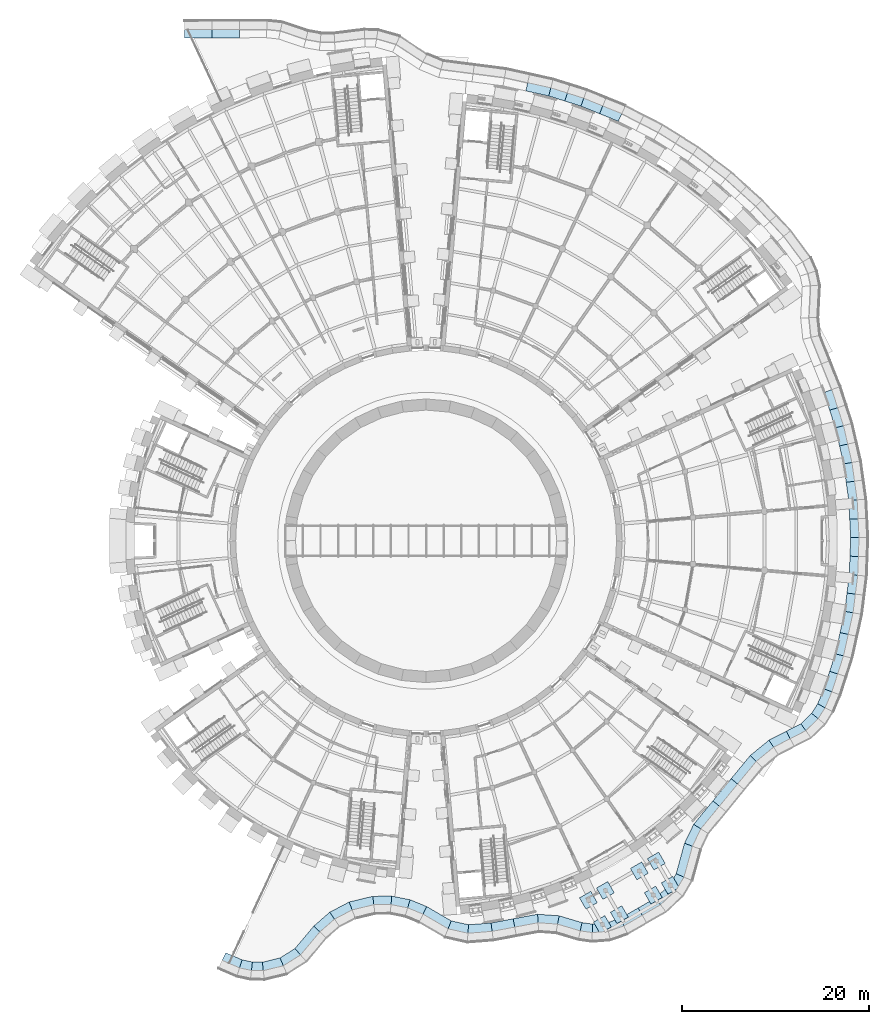
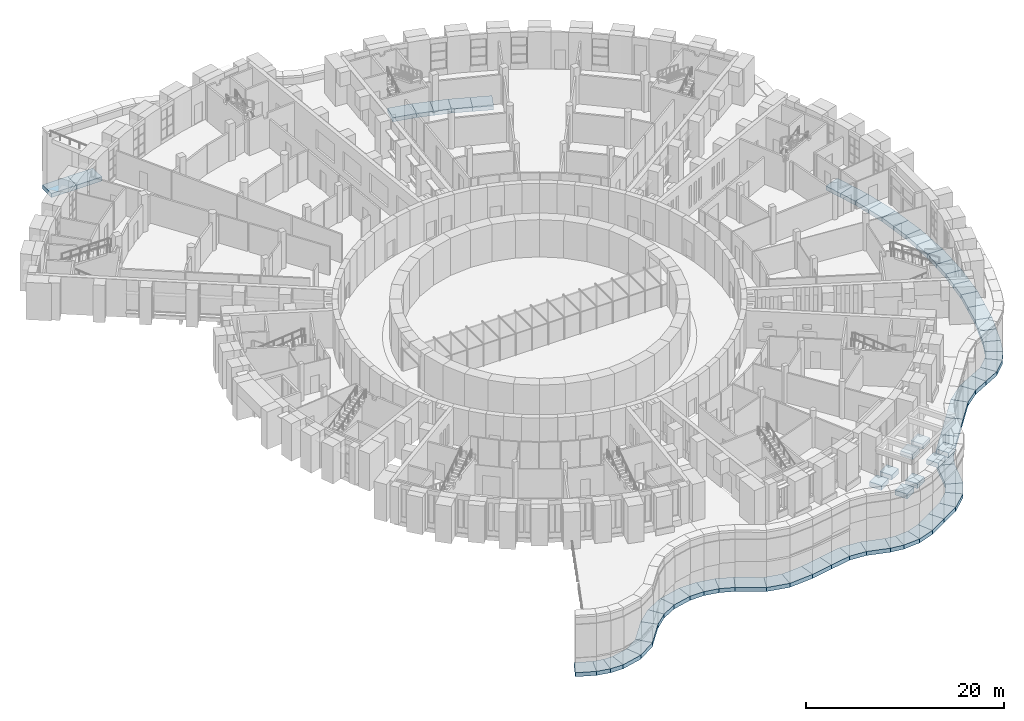
# One storey, part 1 of 85: 68 footings.
"""IFC4 building model written with IfcOpenShell, lengths in metres."""

from ifc_helpers import new_model, si_unit, direction, frame, origin, origin_2d, place, context, subcontext, project, spatial, polyline, rectangle, outline, extrude, material, type_object, element, save


model = new_model("IFC4")

# Units and contexts
model_context = context("Model", 3, precision=1e-05, world=origin(), true_north=direction((0.0, 1.0)))
body_context = subcontext(model_context, "Body", "Model", "MODEL_VIEW")
ifc_project = project(units=[si_unit("LENGTHUNIT", "METRE"), si_unit("AREAUNIT", "SQUARE_METRE"), si_unit("VOLUMEUNIT", "CUBIC_METRE"), si_unit("PLANEANGLEUNIT", "RADIAN"), si_unit("MASSUNIT", "GRAM", prefix="KILO")], contexts=[model_context])

# Site, building, storey
site_placement = place(None, origin())
site = spatial("IfcSite", under=ifc_project, at=site_placement, CompositionType="ELEMENT")
building_placement = place(site_placement, origin())
building = spatial("IfcBuilding", under=site, at=building_placement, Name="Volute Hill Aquarium", CompositionType="ELEMENT")
storey_placement = place(building_placement, origin())
storey = spatial("IfcBuildingStorey", under=building, at=storey_placement, Name="L01", CompositionType="ELEMENT", Elevation=0.0)

# Footings
ifc_material_1 = material(Name="Concrete C30/37", Category="concrete")
footing_type_1 = type_object("IfcFootingType", Name="Canopy pad footing 1400", PredefinedType="PAD_FOOTING", material=ifc_material_1)
for number, where, z_axis, x_axis, name in (
    (1, (17.3876953125, -38.516357421875, -1.10009765625), (0.0, 0.0, 1.0), (0.5, -0.866025403784, 0.0), "cn/S3/L01/f0.0"),
    (2, (18.8876953125, -41.114501953125, -1.10009765625), (0.0, 0.0, 1.0), (0.5, -0.866025403784, 0.0), "cn/S3/L01/f0.1"),
    (3, (19.206298828125, -37.46630859375, -1.10009765625), (0.0, 0.0, 1.0), (0.5, -0.866025403784, 0.0), "cn/S3/L01/f1.0"),
    (4, (20.706298828125, -40.064453125, -1.10009765625), (0.0, 0.0, 1.0), (0.5, -0.866025403784, 0.0), "cn/S3/L01/f1.1"),
    (5, (22.84375, -35.366455078125, -1.10009765625), (0.0, 0.0, 1.0), (0.5, -0.866025403784, 0.0), "cn/S3/L01/f2.0"),
    (6, (24.34375, -37.96435546875, -1.10009765625), (0.0, 0.0, 1.0), (0.5, -0.866025403784, 0.0), "cn/S3/L01/f2.1"),
    (7, (24.662353515625, -34.31640625, -1.10009765625), (0.0, 0.0, 1.0), (0.5, -0.866025403784, 0.0), "cn/S3/L01/f3.0"),
    (8, (26.162353515625, -36.914306640625, -1.10009765625), (0.0, 0.0, 1.0), (0.5, -0.866025403784, 0.0), "cn/S3/L01/f3.1"),
):
    element("IfcFooting", number, at=place(storey_placement, frame(where, z_axis=z_axis, x_axis=x_axis)), inside=storey, type_object=footing_type_1, Name=name, PredefinedType="PAD_FOOTING", context=body_context, shape_type="SweptSolid", body=[
        extrude(rectangle(XDim=1.39990234375, YDim=1.39990234375, at=origin_2d()), origin(), (0.0, 0.0, 1.0), 0.60009765625),
    ])
ifc_material_2 = material(Name="Concrete C30/37", Category="concrete")
footing_type_2 = type_object("IfcFootingType", Name="Site edge wall footing C30/37 1800", PredefinedType="STRIP_FOOTING", material=ifc_material_2)
footing_1_placement = place(storey_placement, frame((0.0, 0.0, -6.5)))
element("IfcFooting", 9, at=footing_1_placement, inside=storey, type_object=footing_type_2, Name="ft/RWE/13.0", PredefinedType="STRIP_FOOTING", context=body_context, shape_type="SweptSolid", body=[
    extrude(outline(polyline([(-22.248291015625, -45.762939453125), (-20.268310546875, -46.622802734375), (-19.7158203125, -44.900390625), (-21.4599609375, -44.142822265625), (-22.248291015625, -45.762939453125)])), origin(), (0.0, 0.0, 1.0), 0.5),
])
footing_2_placement = place(storey_placement, frame((0.0, 0.0, -6.5)))
element("IfcFooting", 10, at=footing_2_placement, inside=storey, type_object=footing_type_2, Name="ft/RWE/14.0", PredefinedType="STRIP_FOOTING", context=body_context, shape_type="SweptSolid", body=[
    extrude(outline(polyline([(-20.268310546875, -46.622802734375), (-18.818603515625, -46.93359375), (-18.611572265625, -45.13720703125), (-18.611572265625, -45.13720703125), (-19.7158203125, -44.900390625), (-19.7158203125, -44.900390625), (-20.268310546875, -46.622802734375), (-20.268310546875, -46.622802734375)])), origin(), (0.0, 0.0, 1.0), 0.5),
])
footing_3_placement = place(storey_placement, frame((0.0, 0.0, -6.5)))
element("IfcFooting", 11, at=footing_3_placement, inside=storey, type_object=footing_type_2, Name="ft/RWE/15.0", PredefinedType="STRIP_FOOTING", context=body_context, shape_type="SweptSolid", body=[
    extrude(outline(polyline([(-18.818603515625, -46.93359375), (-17.344970703125, -46.96044921875), (-17.545166015625, -45.156494140625), (-18.611572265625, -45.13720703125), (-18.818603515625, -46.93359375), (-18.818603515625, -46.93359375)])), origin(), (0.0, 0.0, 1.0), 0.5),
])
footing_4_placement = place(storey_placement, frame((0.0, 0.0, -6.5)))
element("IfcFooting", 12, at=footing_4_placement, inside=storey, type_object=footing_type_2, Name="ft/RWE/16.0", PredefinedType="STRIP_FOOTING", context=body_context, shape_type="SweptSolid", body=[
    extrude(outline(polyline([(-17.344970703125, -46.96044921875), (-14.9404296875, -46.3740234375), (-15.650634765625, -44.6943359375), (-15.650634765625, -44.6943359375), (-17.545166015625, -45.156494140625), (-17.545166015625, -45.156494140625), (-17.344970703125, -46.96044921875), (-17.344970703125, -46.96044921875)])), origin(), (0.0, 0.0, 1.0), 0.5),
])
footing_5_placement = place(storey_placement, frame((0.0, 0.0, -6.5)))
element("IfcFooting", 13, at=footing_5_placement, inside=storey, type_object=footing_type_2, Name="ft/RWE/17.0", PredefinedType="STRIP_FOOTING", context=body_context, shape_type="SweptSolid", body=[
    extrude(outline(polyline([(-12.85205078125, -45.06201171875), (-12.85205078125, -45.06201171875), (-14.049560546875, -43.6884765625), (-14.049560546875, -43.6884765625), (-15.650634765625, -44.6943359375), (-14.9404296875, -46.3740234375), (-14.9404296875, -46.3740234375), (-12.85205078125, -45.06201171875)])), origin(), (0.0, 0.0, 1.0), 0.5),
])
footing_6_placement = place(storey_placement, frame((0.0, 0.0, -6.5)))
element("IfcFooting", 14, at=footing_6_placement, inside=storey, type_object=footing_type_2, Name="ft/RWE/18.0", PredefinedType="STRIP_FOOTING", context=body_context, shape_type="SweptSolid", body=[
    extrude(outline(polyline([(-10.736328125, -42.53759765625), (-10.736328125, -42.53759765625), (-12.0244140625, -41.272216796875), (-12.0244140625, -41.272216796875), (-14.049560546875, -43.6884765625), (-12.85205078125, -45.06201171875), (-10.736328125, -42.53759765625)])), origin(), (0.0, 0.0, 1.0), 0.5),
])
footing_7_placement = place(storey_placement, frame((0.0, 0.0, -6.5)))
element("IfcFooting", 15, at=footing_7_placement, inside=storey, type_object=footing_type_2, Name="ft/RWE/19.0", PredefinedType="STRIP_FOOTING", context=body_context, shape_type="SweptSolid", body=[
    extrude(outline(polyline([(-10.736328125, -42.53759765625), (-9.301025390625, -41.291015625), (-10.32373046875, -39.795166015625), (-10.32373046875, -39.795166015625), (-12.0244140625, -41.272216796875), (-10.736328125, -42.53759765625)])), origin(), (0.0, 0.0, 1.0), 0.5),
])
footing_8_placement = place(storey_placement, frame((0.0, 0.0, -6.5)))
element("IfcFooting", 16, at=footing_8_placement, inside=storey, type_object=footing_type_2, Name="ft/RWE/20.0", PredefinedType="STRIP_FOOTING", context=body_context, shape_type="SweptSolid", body=[
    extrude(outline(polyline([(-9.301025390625, -41.291015625), (-7.6064453125, -40.399658203125), (-8.24609375, -38.702392578125), (-10.32373046875, -39.795166015625), (-9.301025390625, -41.291015625), (-9.301025390625, -41.291015625)])), origin(), (0.0, 0.0, 1.0), 0.5),
])
footing_9_placement = place(storey_placement, frame((0.0, 0.0, -6.5)))
element("IfcFooting", 17, at=footing_9_placement, inside=storey, type_object=footing_type_2, Name="ft/RWE/21.0", PredefinedType="STRIP_FOOTING", context=body_context, shape_type="SweptSolid", body=[
    extrude(outline(polyline([(-5.490478515625, -39.88916015625), (-5.490478515625, -39.88916015625), (-5.709716796875, -38.09033203125), (-5.709716796875, -38.09033203125), (-8.24609375, -38.702392578125), (-8.24609375, -38.702392578125), (-7.6064453125, -40.399658203125), (-7.6064453125, -40.399658203125), (-5.490478515625, -39.88916015625)])), origin(), (0.0, 0.0, 1.0), 0.5),
])
footing_10_placement = place(storey_placement, frame((0.0, 0.0, -6.5)))
element("IfcFooting", 18, at=footing_10_placement, inside=storey, type_object=footing_type_2, Name="ft/RWE/22.0", PredefinedType="STRIP_FOOTING", context=body_context, shape_type="SweptSolid", body=[
    extrude(outline(polyline([(-3.845703125, -39.87939453125), (-3.845703125, -39.87939453125), (-3.677490234375, -38.078369140625), (-3.677490234375, -38.078369140625), (-5.709716796875, -38.09033203125), (-5.490478515625, -39.88916015625), (-3.845703125, -39.87939453125)])), origin(), (0.0, 0.0, 1.0), 0.5),
])
footing_11_placement = place(storey_placement, frame((0.0, 0.0, -6.5)))
element("IfcFooting", 19, at=footing_11_placement, inside=storey, type_object=footing_type_2, Name="ft/RWE/23.0", PredefinedType="STRIP_FOOTING", context=body_context, shape_type="SweptSolid", body=[
    extrude(outline(polyline([(-2.23583984375, -40.192626953125), (-2.23583984375, -40.192626953125), (-1.716796875, -38.459716796875), (-3.677490234375, -38.078369140625), (-3.845703125, -39.87939453125), (-2.23583984375, -40.192626953125)])), origin(), (0.0, 0.0, 1.0), 0.5),
])
footing_12_placement = place(storey_placement, frame((0.0, 0.0, -6.5)))
element("IfcFooting", 20, at=footing_12_placement, inside=storey, type_object=footing_type_2, Name="ft/RWE/24.0", PredefinedType="STRIP_FOOTING", context=body_context, shape_type="SweptSolid", body=[
    extrude(outline(polyline([(-2.23583984375, -40.192626953125), (-0.727294921875, -40.812744140625), (0.07275390625, -39.195556640625), (0.07275390625, -39.195556640625), (-1.716796875, -38.459716796875), (-1.716796875, -38.459716796875), (-2.23583984375, -40.192626953125)])), origin(), (0.0, 0.0, 1.0), 0.5),
])
footing_13_placement = place(storey_placement, frame((0.0, 0.0, -6.5)))
element("IfcFooting", 21, at=footing_13_placement, inside=storey, type_object=footing_type_2, Name="ft/RWE/25.0", PredefinedType="STRIP_FOOTING", context=body_context, shape_type="SweptSolid", body=[
    extrude(outline(polyline([(2.0205078125, -42.41845703125), (2.0205078125, -42.41845703125), (2.687744140625, -40.7236328125), (2.687744140625, -40.7236328125), (0.07275390625, -39.195556640625), (-0.727294921875, -40.812744140625), (-0.727294921875, -40.812744140625), (2.0205078125, -42.41845703125)])), origin(), (0.0, 0.0, 1.0), 0.5),
])
footing_14_placement = place(storey_placement, frame((0.0, 0.0, -6.5)))
element("IfcFooting", 22, at=footing_14_placement, inside=storey, type_object=footing_type_2, Name="ft/RWE/26.0", PredefinedType="STRIP_FOOTING", context=body_context, shape_type="SweptSolid", body=[
    extrude(outline(polyline([(2.0205078125, -42.41845703125), (4.4189453125, -42.9580078125), (4.54833984375, -41.14208984375), (2.687744140625, -40.7236328125), (2.0205078125, -42.41845703125)])), origin(), (0.0, 0.0, 1.0), 0.5),
])
footing_15_placement = place(storey_placement, frame((0.0, 0.0, -6.5)))
element("IfcFooting", 23, at=footing_15_placement, inside=storey, type_object=footing_type_2, Name="ft/RWE/27.0", PredefinedType="STRIP_FOOTING", context=body_context, shape_type="SweptSolid", body=[
    extrude(outline(polyline([(7.1943359375, -42.73779296875), (7.1943359375, -42.73779296875), (6.95654296875, -40.951171875), (4.54833984375, -41.14208984375), (4.54833984375, -41.14208984375), (4.4189453125, -42.9580078125), (4.4189453125, -42.9580078125), (7.1943359375, -42.73779296875)])), origin(), (0.0, 0.0, 1.0), 0.5),
])
footing_16_placement = place(storey_placement, frame((0.0, 0.0, -6.5)))
element("IfcFooting", 24, at=footing_16_placement, inside=storey, type_object=footing_type_2, Name="ft/RWE/28.0", PredefinedType="STRIP_FOOTING", context=body_context, shape_type="SweptSolid", body=[
    extrude(outline(polyline([(7.1943359375, -42.73779296875), (9.662109375, -42.274658203125), (9.330078125, -40.50537109375), (6.95654296875, -40.951171875), (6.95654296875, -40.951171875), (7.1943359375, -42.73779296875)])), origin(), (0.0, 0.0, 1.0), 0.5),
])
footing_17_placement = place(storey_placement, frame((0.0, 0.0, -6.5)))
element("IfcFooting", 25, at=footing_17_placement, inside=storey, type_object=footing_type_2, Name="ft/RWE/28.1", PredefinedType="STRIP_FOOTING", context=body_context, shape_type="SweptSolid", body=[
    extrude(outline(polyline([(9.662109375, -42.274658203125), (12.048828125, -41.826416015625), (11.947021484375, -40.01416015625), (9.330078125, -40.50537109375), (9.662109375, -42.274658203125)])), origin(), (0.0, 0.0, 1.0), 0.5),
])
footing_18_placement = place(storey_placement, frame((0.0, 0.0, -6.5)))
element("IfcFooting", 26, at=footing_18_placement, inside=storey, type_object=footing_type_2, Name="ft/RWE/29.0", PredefinedType="STRIP_FOOTING", context=body_context, shape_type="SweptSolid", body=[
    extrude(outline(polyline([(13.924072265625, -41.964111328125), (13.924072265625, -41.964111328125), (14.249755859375, -40.18310546875), (11.947021484375, -40.01416015625), (11.947021484375, -40.01416015625), (12.048828125, -41.826416015625), (12.048828125, -41.826416015625), (13.924072265625, -41.964111328125)])), origin(), (0.0, 0.0, 1.0), 0.5),
])
footing_19_placement = place(storey_placement, frame((0.0, 0.0, -6.5)))
element("IfcFooting", 27, at=footing_19_placement, inside=storey, type_object=footing_type_2, Name="ft/RWE/30.0", PredefinedType="STRIP_FOOTING", context=body_context, shape_type="SweptSolid", body=[
    extrude(outline(polyline([(16.321044921875, -42.67529296875), (16.321044921875, -42.67529296875), (16.70703125, -40.912353515625), (16.70703125, -40.912353515625), (14.249755859375, -40.18310546875), (14.249755859375, -40.18310546875), (13.924072265625, -41.964111328125), (16.321044921875, -42.67529296875)])), origin(), (0.0, 0.0, 1.0), 0.5),
])
footing_20_placement = place(storey_placement, frame((0.0, 0.0, -6.5)))
element("IfcFooting", 28, at=footing_20_placement, inside=storey, type_object=footing_type_2, Name="ft/RWE/31.0", PredefinedType="STRIP_FOOTING", context=body_context, shape_type="SweptSolid", body=[
    extrude(outline(polyline([(16.321044921875, -42.67529296875), (17.771240234375, -42.883544921875), (17.82861328125, -41.073486328125), (16.70703125, -40.912353515625), (16.321044921875, -42.67529296875)])), origin(), (0.0, 0.0, 1.0), 0.5),
])
footing_21_placement = place(storey_placement, frame((0.0, 0.0, -6.5)))
element("IfcFooting", 29, at=footing_21_placement, inside=storey, type_object=footing_type_2, Name="ft/RWE/32.0", PredefinedType="STRIP_FOOTING", context=body_context, shape_type="SweptSolid", body=[
    extrude(outline(polyline([(19.718505859375, -42.728759765625), (19.718505859375, -42.728759765625), (19.3466796875, -40.95263671875), (19.3466796875, -40.95263671875), (17.82861328125, -41.073486328125), (17.82861328125, -41.073486328125), (17.771240234375, -42.883544921875), (19.718505859375, -42.728759765625)])), origin(), (0.0, 0.0, 1.0), 0.5),
])
footing_22_placement = place(storey_placement, frame((0.0, 0.0, -6.5)))
element("IfcFooting", 30, at=footing_22_placement, inside=storey, type_object=footing_type_2, Name="ft/RWE/33.0", PredefinedType="STRIP_FOOTING", context=body_context, shape_type="SweptSolid", body=[
    extrude(outline(polyline([(19.718505859375, -42.728759765625), (21.56884765625, -42.088134765625), (20.81787109375, -40.443359375), (19.3466796875, -40.95263671875), (19.718505859375, -42.728759765625)])), origin(), (0.0, 0.0, 1.0), 0.5),
])
footing_23_placement = place(storey_placement, frame((0.0, 0.0, -6.5)))
element("IfcFooting", 31, at=footing_23_placement, inside=storey, type_object=footing_type_2, Name="ft/RWE/34.0", PredefinedType="STRIP_FOOTING", context=body_context, shape_type="SweptSolid", body=[
    extrude(outline(polyline([(21.56884765625, -42.088134765625), (23.612060546875, -40.90869140625), (22.7119140625, -39.349853515625), (20.81787109375, -40.443359375), (20.81787109375, -40.443359375), (21.56884765625, -42.088134765625), (21.56884765625, -42.088134765625)])), origin(), (0.0, 0.0, 1.0), 0.5),
])
footing_24_placement = place(storey_placement, frame((0.0, 0.0, -6.5)))
element("IfcFooting", 32, at=footing_24_placement, inside=storey, type_object=footing_type_2, Name="ft/RWE/34.1", PredefinedType="STRIP_FOOTING", context=body_context, shape_type="SweptSolid", body=[
    extrude(outline(polyline([(25.661376953125, -39.725341796875), (25.661376953125, -39.725341796875), (24.58740234375, -38.26708984375), (22.7119140625, -39.349853515625), (23.612060546875, -40.90869140625), (25.661376953125, -39.725341796875)])), origin(), (0.0, 0.0, 1.0), 0.5),
])
footing_25_placement = place(storey_placement, frame((0.0, 0.0, -6.5)))
element("IfcFooting", 33, at=footing_25_placement, inside=storey, type_object=footing_type_2, Name="ft/RWE/35.0", PredefinedType="STRIP_FOOTING", context=body_context, shape_type="SweptSolid", body=[
    extrude(outline(polyline([(25.661376953125, -39.725341796875), (27.4638671875, -38.0595703125), (26.052001953125, -36.913330078125), (24.58740234375, -38.26708984375), (25.661376953125, -39.725341796875)])), origin(), (0.0, 0.0, 1.0), 0.5),
])
footing_26_placement = place(storey_placement, frame((0.0, 0.0, -6.5)))
element("IfcFooting", 34, at=footing_26_placement, inside=storey, type_object=footing_type_2, Name="ft/RWE/36.0", PredefinedType="STRIP_FOOTING", context=body_context, shape_type="SweptSolid", body=[
    extrude(outline(polyline([(28.46142578125, -36.390869140625), (28.46142578125, -36.390869140625), (26.79052734375, -35.677978515625), (26.79052734375, -35.677978515625), (26.052001953125, -36.913330078125), (26.052001953125, -36.913330078125), (27.4638671875, -38.0595703125), (27.4638671875, -38.0595703125), (28.46142578125, -36.390869140625)])), origin(), (0.0, 0.0, 1.0), 0.5),
])
footing_27_placement = place(storey_placement, frame((0.0, 0.0, -6.5)))
element("IfcFooting", 35, at=footing_27_placement, inside=storey, type_object=footing_type_2, Name="ft/RWE/37.0", PredefinedType="STRIP_FOOTING", context=body_context, shape_type="SweptSolid", body=[
    extrude(outline(polyline([(29.379638671875, -33.043212890625), (29.379638671875, -33.043212890625), (27.687255859375, -32.40869140625), (27.687255859375, -32.40869140625), (26.79052734375, -35.677978515625), (28.46142578125, -36.390869140625), (29.379638671875, -33.043212890625)])), origin(), (0.0, 0.0, 1.0), 0.5),
])
footing_28_placement = place(storey_placement, frame((0.0, 0.0, -6.5)))
element("IfcFooting", 36, at=footing_28_placement, inside=storey, type_object=footing_type_2, Name="ft/RWE/38.0", PredefinedType="STRIP_FOOTING", context=body_context, shape_type="SweptSolid", body=[
    extrude(outline(polyline([(29.379638671875, -33.043212890625), (30.1953125, -31.353515625), (28.66796875, -30.376953125), (27.687255859375, -32.40869140625), (29.379638671875, -33.043212890625)])), origin(), (0.0, 0.0, 1.0), 0.5),
])
footing_29_placement = place(storey_placement, frame((0.0, 0.0, -6.5)))
element("IfcFooting", 37, at=footing_29_placement, inside=storey, type_object=footing_type_2, Name="ft/RWE/39.0", PredefinedType="STRIP_FOOTING", context=body_context, shape_type="SweptSolid", body=[
    extrude(outline(polyline([(30.1953125, -31.353515625), (32.1181640625, -29.013916015625), (30.727783203125, -27.870849609375), (28.66796875, -30.376953125), (28.66796875, -30.376953125), (30.1953125, -31.353515625), (30.1953125, -31.353515625)])), origin(), (0.0, 0.0, 1.0), 0.5),
])
footing_30_placement = place(storey_placement, frame((0.0, 0.0, -6.5)))
element("IfcFooting", 38, at=footing_30_placement, inside=storey, type_object=footing_type_2, Name="ft/RWE/39.1", PredefinedType="STRIP_FOOTING", context=body_context, shape_type="SweptSolid", body=[
    extrude(outline(polyline([(32.1181640625, -29.013916015625), (34.075439453125, -26.6328125), (32.68505859375, -25.48974609375), (30.727783203125, -27.870849609375), (32.1181640625, -29.013916015625)])), origin(), (0.0, 0.0, 1.0), 0.5),
])
footing_31_placement = place(storey_placement, frame((0.0, 0.0, -6.5)))
element("IfcFooting", 39, at=footing_31_placement, inside=storey, type_object=footing_type_2, Name="ft/RWE/39.2", PredefinedType="STRIP_FOOTING", context=body_context, shape_type="SweptSolid", body=[
    extrude(outline(polyline([(34.075439453125, -26.6328125), (36.004638671875, -24.28564453125), (34.7265625, -23.006103515625), (32.68505859375, -25.48974609375), (34.075439453125, -26.6328125)])), origin(), (0.0, 0.0, 1.0), 0.5),
])
footing_32_placement = place(storey_placement, frame((0.0, 0.0, -6.5)))
element("IfcFooting", 40, at=footing_32_placement, inside=storey, type_object=footing_type_2, Name="ft/RWE/40.0", PredefinedType="STRIP_FOOTING", context=body_context, shape_type="SweptSolid", body=[
    extrude(outline(polyline([(36.004638671875, -24.28564453125), (37.727294921875, -22.873291015625), (36.735107421875, -21.359130859375), (36.735107421875, -21.359130859375), (34.7265625, -23.006103515625), (34.7265625, -23.006103515625), (36.004638671875, -24.28564453125), (36.004638671875, -24.28564453125)])), origin(), (0.0, 0.0, 1.0), 0.5),
])
footing_33_placement = place(storey_placement, frame((0.0, 0.0, -6.5)))
element("IfcFooting", 41, at=footing_33_placement, inside=storey, type_object=footing_type_2, Name="ft/RWE/41.0", PredefinedType="STRIP_FOOTING", context=body_context, shape_type="SweptSolid", body=[
    extrude(outline(polyline([(37.727294921875, -22.873291015625), (39.4208984375, -22.005859375), (38.60009765625, -20.40380859375), (36.735107421875, -21.359130859375), (37.727294921875, -22.873291015625)])), origin(), (0.0, 0.0, 1.0), 0.5),
])
footing_34_placement = place(storey_placement, frame((0.0, 0.0, -6.5)))
element("IfcFooting", 42, at=footing_34_placement, inside=storey, type_object=footing_type_2, Name="ft/RWE/41.1", PredefinedType="STRIP_FOOTING", context=body_context, shape_type="SweptSolid", body=[
    extrude(outline(polyline([(41.21728515625, -21.085693359375), (41.21728515625, -21.085693359375), (40.156494140625, -19.6064453125), (40.156494140625, -19.6064453125), (38.60009765625, -20.40380859375), (39.4208984375, -22.005859375), (41.21728515625, -21.085693359375)])), origin(), (0.0, 0.0, 1.0), 0.5),
])
footing_35_placement = place(storey_placement, frame((0.0, 0.0, -6.5)))
element("IfcFooting", 43, at=footing_35_placement, inside=storey, type_object=footing_type_2, Name="ft/RWE/42.0", PredefinedType="STRIP_FOOTING", context=body_context, shape_type="SweptSolid", body=[
    extrude(outline(polyline([(41.21728515625, -21.085693359375), (42.71337890625, -19.6328125), (41.30517578125, -18.4912109375), (40.156494140625, -19.6064453125), (41.21728515625, -21.085693359375)])), origin(), (0.0, 0.0, 1.0), 0.5),
])
footing_36_placement = place(storey_placement, frame((0.0, 0.0, -6.5)))
element("IfcFooting", 44, at=footing_36_placement, inside=storey, type_object=footing_type_2, Name="ft/RWE/43.0", PredefinedType="STRIP_FOOTING", context=body_context, shape_type="SweptSolid", body=[
    extrude(outline(polyline([(42.71337890625, -19.6328125), (43.548828125, -18.307373046875), (41.948974609375, -17.469970703125), (41.30517578125, -18.4912109375), (41.30517578125, -18.4912109375), (42.71337890625, -19.6328125), (42.71337890625, -19.6328125)])), origin(), (0.0, 0.0, 1.0), 0.5),
])
footing_37_placement = place(storey_placement, frame((0.0, 0.0, -6.5)))
element("IfcFooting", 45, at=footing_37_placement, inside=storey, type_object=footing_type_2, Name="ft/RWE/44.0", PredefinedType="STRIP_FOOTING", context=body_context, shape_type="SweptSolid", body=[
    extrude(outline(polyline([(43.548828125, -18.307373046875), (44.3173828125, -16.498779296875), (42.629638671875, -15.86865234375), (42.629638671875, -15.86865234375), (41.948974609375, -17.469970703125), (41.948974609375, -17.469970703125), (43.548828125, -18.307373046875)])), origin(), (0.0, 0.0, 1.0), 0.5),
])
footing_38_placement = place(storey_placement, frame((0.0, 0.0, -6.5)))
element("IfcFooting", 46, at=footing_38_placement, inside=storey, type_object=footing_type_2, Name="ft/RWE/45.0", PredefinedType="STRIP_FOOTING", context=body_context, shape_type="SweptSolid", body=[
    extrude(outline(polyline([(44.3173828125, -16.498779296875), (44.95166015625, -14.53759765625), (43.239013671875, -13.983642578125), (42.629638671875, -15.86865234375), (44.3173828125, -16.498779296875), (44.3173828125, -16.498779296875)])), origin(), (0.0, 0.0, 1.0), 0.5),
])
footing_39_placement = place(storey_placement, frame((0.0, 0.0, -6.5)))
element("IfcFooting", 47, at=footing_39_placement, inside=storey, type_object=footing_type_2, Name="ft/RWE/45.1", PredefinedType="STRIP_FOOTING", context=body_context, shape_type="SweptSolid", body=[
    extrude(outline(polyline([(45.58642578125, -12.574951171875), (45.58642578125, -12.574951171875), (43.847412109375, -12.102294921875), (43.847412109375, -12.102294921875), (43.239013671875, -13.983642578125), (44.95166015625, -14.53759765625), (45.58642578125, -12.574951171875)])), origin(), (0.0, 0.0, 1.0), 0.5),
])
footing_40_placement = place(storey_placement, frame((0.0, 0.0, -6.5)))
element("IfcFooting", 48, at=footing_40_placement, inside=storey, type_object=footing_type_2, Name="ft/RWE/46.0", PredefinedType="STRIP_FOOTING", context=body_context, shape_type="SweptSolid", body=[
    extrude(outline(polyline([(45.58642578125, -12.574951171875), (46.108154296875, -10.221923828125), (44.350830078125, -9.832275390625), (43.847412109375, -12.102294921875), (45.58642578125, -12.574951171875)])), origin(), (0.0, 0.0, 1.0), 0.5),
])
footing_41_placement = place(storey_placement, frame((0.0, 0.0, -6.5)))
element("IfcFooting", 49, at=footing_41_placement, inside=storey, type_object=footing_type_2, Name="ft/RWE/46.1", PredefinedType="STRIP_FOOTING", context=body_context, shape_type="SweptSolid", body=[
    extrude(outline(polyline([(46.108154296875, -10.221923828125), (46.629638671875, -7.868896484375), (44.85400390625, -7.5625), (44.350830078125, -9.832275390625), (46.108154296875, -10.221923828125)])), origin(), (0.0, 0.0, 1.0), 0.5),
])
footing_42_placement = place(storey_placement, frame((0.0, 0.0, -6.5)))
element("IfcFooting", 50, at=footing_42_placement, inside=storey, type_object=footing_type_2, Name="ft/RWE/47.0", PredefinedType="STRIP_FOOTING", context=body_context, shape_type="SweptSolid", body=[
    extrude(outline(polyline([(46.629638671875, -7.868896484375), (46.884033203125, -5.821533203125), (45.09765625, -5.599853515625), (44.85400390625, -7.5625), (44.85400390625, -7.5625), (46.629638671875, -7.868896484375), (46.629638671875, -7.868896484375)])), origin(), (0.0, 0.0, 1.0), 0.5),
])
footing_43_placement = place(storey_placement, frame((0.0, 0.0, -6.5)))
element("IfcFooting", 51, at=footing_43_placement, inside=storey, type_object=footing_type_2, Name="ft/RWE/47.1", PredefinedType="STRIP_FOOTING", context=body_context, shape_type="SweptSolid", body=[
    extrude(outline(polyline([(47.13818359375, -3.77587890625), (47.13818359375, -3.77587890625), (45.342041015625, -3.632080078125), (45.342041015625, -3.632080078125), (45.09765625, -5.599853515625), (46.884033203125, -5.821533203125), (47.13818359375, -3.77587890625)])), origin(), (0.0, 0.0, 1.0), 0.5),
])
footing_44_placement = place(storey_placement, frame((0.0, 0.0, -6.5)))
element("IfcFooting", 52, at=footing_44_placement, inside=storey, type_object=footing_type_2, Name="ft/RWE/48.0", PredefinedType="STRIP_FOOTING", context=body_context, shape_type="SweptSolid", body=[
    extrude(outline(polyline([(47.13818359375, -3.77587890625), (47.212890625, -1.714599609375), (45.4140625, -1.6494140625), (45.342041015625, -3.632080078125), (47.13818359375, -3.77587890625)])), origin(), (0.0, 0.0, 1.0), 0.5),
])
footing_45_placement = place(storey_placement, frame((0.0, 0.0, -6.5)))
element("IfcFooting", 53, at=footing_45_placement, inside=storey, type_object=footing_type_2, Name="ft/RWE/48.1", PredefinedType="STRIP_FOOTING", context=body_context, shape_type="SweptSolid", body=[
    extrude(outline(polyline([(47.287841796875, 0.3466796875), (47.287841796875, 0.3466796875), (45.486083984375, 0.33349609375), (45.4140625, -1.6494140625), (47.212890625, -1.714599609375), (47.287841796875, 0.3466796875)])), origin(), (0.0, 0.0, 1.0), 0.5),
])
footing_46_placement = place(storey_placement, frame((0.0, 0.0, -6.5)))
element("IfcFooting", 54, at=footing_46_placement, inside=storey, type_object=footing_type_2, Name="ft/RWE/49.0", PredefinedType="STRIP_FOOTING", context=body_context, shape_type="SweptSolid", body=[
    extrude(outline(polyline([(47.287841796875, 0.3466796875), (47.182861328125, 2.40673828125), (45.385009765625, 2.315185546875), (45.486083984375, 0.33349609375), (45.486083984375, 0.33349609375), (47.287841796875, 0.3466796875)])), origin(), (0.0, 0.0, 1.0), 0.5),
])
footing_47_placement = place(storey_placement, frame((0.0, 0.0, -6.5)))
element("IfcFooting", 55, at=footing_47_placement, inside=storey, type_object=footing_type_2, Name="ft/RWE/49.1", PredefinedType="STRIP_FOOTING", context=body_context, shape_type="SweptSolid", body=[
    extrude(outline(polyline([(47.182861328125, 2.40673828125), (47.07763671875, 4.467041015625), (45.283935546875, 4.296630859375), (45.385009765625, 2.315185546875), (47.182861328125, 2.40673828125)])), origin(), (0.0, 0.0, 1.0), 0.5),
])
footing_48_placement = place(storey_placement, frame((0.0, 0.0, -6.5)))
element("IfcFooting", 56, at=footing_48_placement, inside=storey, type_object=footing_type_2, Name="ft/RWE/50.0", PredefinedType="STRIP_FOOTING", context=body_context, shape_type="SweptSolid", body=[
    extrude(outline(polyline([(47.07763671875, 4.467041015625), (46.79345703125, 6.510009765625), (45.010498046875, 6.261962890625), (45.283935546875, 4.296630859375), (45.283935546875, 4.296630859375), (47.07763671875, 4.467041015625), (47.07763671875, 4.467041015625)])), origin(), (0.0, 0.0, 1.0), 0.5),
])
footing_49_placement = place(storey_placement, frame((0.0, 0.0, -6.5)))
element("IfcFooting", 57, at=footing_49_placement, inside=storey, type_object=footing_type_2, Name="ft/RWE/50.1", PredefinedType="STRIP_FOOTING", context=body_context, shape_type="SweptSolid", body=[
    extrude(outline(polyline([(46.50927734375, 8.552978515625), (46.50927734375, 8.552978515625), (44.737060546875, 8.22705078125), (44.737060546875, 8.22705078125), (45.010498046875, 6.261962890625), (46.79345703125, 6.510009765625), (46.50927734375, 8.552978515625)])), origin(), (0.0, 0.0, 1.0), 0.5),
])
footing_50_placement = place(storey_placement, frame((0.0, 0.0, -6.5)))
element("IfcFooting", 58, at=footing_50_placement, inside=storey, type_object=footing_type_2, Name="ft/RWE/51.0", PredefinedType="STRIP_FOOTING", context=body_context, shape_type="SweptSolid", body=[
    extrude(outline(polyline([(46.50927734375, 8.552978515625), (46.0478515625, 10.5634765625), (44.29345703125, 10.160888671875), (44.737060546875, 8.22705078125), (46.50927734375, 8.552978515625)])), origin(), (0.0, 0.0, 1.0), 0.5),
])
footing_51_placement = place(storey_placement, frame((0.0, 0.0, -6.5)))
element("IfcFooting", 59, at=footing_51_placement, inside=storey, type_object=footing_type_2, Name="ft/RWE/51.1", PredefinedType="STRIP_FOOTING", context=body_context, shape_type="SweptSolid", body=[
    extrude(outline(polyline([(46.0478515625, 10.5634765625), (45.586669921875, 12.573974609375), (43.849853515625, 12.0947265625), (43.849853515625, 12.0947265625), (44.29345703125, 10.160888671875), (46.0478515625, 10.5634765625)])), origin(), (0.0, 0.0, 1.0), 0.5),
])
footing_52_placement = place(storey_placement, frame((0.0, 0.0, -6.5)))
element("IfcFooting", 60, at=footing_52_placement, inside=storey, type_object=footing_type_2, Name="ft/RWE/52.0", PredefinedType="STRIP_FOOTING", context=body_context, shape_type="SweptSolid", body=[
    extrude(outline(polyline([(45.586669921875, 12.573974609375), (44.950927734375, 14.54052734375), (43.238037109375, 13.986572265625), (43.849853515625, 12.0947265625), (45.586669921875, 12.573974609375), (45.586669921875, 12.573974609375)])), origin(), (0.0, 0.0, 1.0), 0.5),
])
footing_53_placement = place(storey_placement, frame((0.0, 0.0, -6.5)))
element("IfcFooting", 61, at=footing_53_placement, inside=storey, type_object=footing_type_2, Name="ft/RWE/52.1", PredefinedType="STRIP_FOOTING", context=body_context, shape_type="SweptSolid", body=[
    extrude(outline(polyline([(44.950927734375, 14.54052734375), (44.31640625, 16.502197265625), (42.621826171875, 15.892822265625), (43.238037109375, 13.986572265625), (44.950927734375, 14.54052734375)])), origin(), (0.0, 0.0, 1.0), 0.5),
])
footing_54_placement = place(storey_placement, frame((0.0, 0.0, -6.5)))
element("IfcFooting", 62, at=footing_54_placement, inside=storey, type_object=footing_type_2, Name="ft/RWE/64.0", PredefinedType="STRIP_FOOTING", context=body_context, shape_type="SweptSolid", body=[
    extrude(outline(polyline([(21.339599609375, 46.583984375), (19.267822265625, 47.425537109375), (18.59033203125, 45.758056640625), (20.589111328125, 44.94580078125), (20.589111328125, 44.94580078125), (21.339599609375, 46.583984375), (21.339599609375, 46.583984375)])), origin(), (0.0, 0.0, 1.0), 0.5),
])
footing_55_placement = place(storey_placement, frame((0.0, 0.0, -6.5)))
element("IfcFooting", 63, at=footing_55_placement, inside=storey, type_object=footing_type_2, Name="ft/RWE/64.1", PredefinedType="STRIP_FOOTING", context=body_context, shape_type="SweptSolid", body=[
    extrude(outline(polyline([(17.197509765625, 48.266845703125), (17.197509765625, 48.266845703125), (16.587158203125, 46.572021484375), (16.587158203125, 46.572021484375), (18.59033203125, 45.758056640625), (19.267822265625, 47.425537109375), (17.197509765625, 48.266845703125)])), origin(), (0.0, 0.0, 1.0), 0.5),
])
footing_56_placement = place(storey_placement, frame((0.0, 0.0, -6.5)))
element("IfcFooting", 64, at=footing_56_placement, inside=storey, type_object=footing_type_2, Name="ft/RWE/65.0", PredefinedType="STRIP_FOOTING", context=body_context, shape_type="SweptSolid", body=[
    extrude(outline(polyline([(17.197509765625, 48.266845703125), (15.398681640625, 48.833984375), (14.857421875, 47.1171875), (16.587158203125, 46.572021484375), (17.197509765625, 48.266845703125)])), origin(), (0.0, 0.0, 1.0), 0.5),
])
footing_57_placement = place(storey_placement, frame((0.0, 0.0, -6.5)))
element("IfcFooting", 65, at=footing_57_placement, inside=storey, type_object=footing_type_2, Name="ft/RWE/65.1", PredefinedType="STRIP_FOOTING", context=body_context, shape_type="SweptSolid", body=[
    extrude(outline(polyline([(13.598388671875, 49.401611328125), (13.598388671875, 49.401611328125), (13.132080078125, 47.6611328125), (13.132080078125, 47.6611328125), (14.857421875, 47.1171875), (15.398681640625, 48.833984375), (13.598388671875, 49.401611328125)])), origin(), (0.0, 0.0, 1.0), 0.5),
])
footing_58_placement = place(storey_placement, frame((0.0, 0.0, -6.5)))
element("IfcFooting", 66, at=footing_58_placement, inside=storey, type_object=footing_type_2, Name="ft/RWE/66.0", PredefinedType="STRIP_FOOTING", context=body_context, shape_type="SweptSolid", body=[
    extrude(outline(polyline([(13.598388671875, 49.401611328125), (11.076416015625, 49.960693359375), (10.68701171875, 48.203369140625), (13.132080078125, 47.6611328125), (13.598388671875, 49.401611328125)])), origin(), (0.0, 0.0, 1.0), 0.5),
])
footing_59_placement = place(storey_placement, frame((0.0, 0.0, -6.5)))
element("IfcFooting", 67, at=footing_59_placement, inside=storey, type_object=footing_type_2, Name="ft/RWE/77.1", PredefinedType="STRIP_FOOTING", context=body_context, shape_type="SweptSolid", body=[
    extrude(outline(polyline([(-19.998291015625, 55.697021484375), (-22.947265625, 55.6943359375), (-22.945556640625, 53.894287109375), (-19.99658203125, 53.897216796875), (-19.998291015625, 55.697021484375)])), origin(), (0.0, 0.0, 1.0), 0.5),
])
footing_60_placement = place(storey_placement, frame((0.0, 0.0, -6.5)))
element("IfcFooting", 68, at=footing_60_placement, inside=storey, type_object=footing_type_2, Name="ft/RWE/77.2", PredefinedType="STRIP_FOOTING", context=body_context, shape_type="SweptSolid", body=[
    extrude(outline(polyline([(-22.947265625, 55.6943359375), (-25.896484375, 55.69140625), (-25.894775390625, 53.891357421875), (-22.945556640625, 53.894287109375), (-22.947265625, 55.6943359375)])), origin(), (0.0, 0.0, 1.0), 0.5),
])

save(model, "model.ifc")
